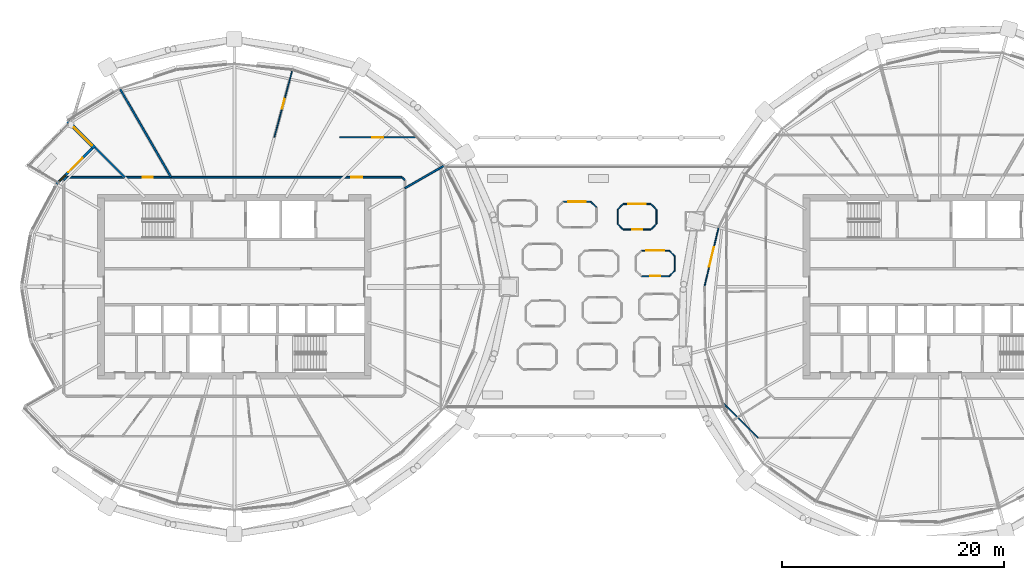
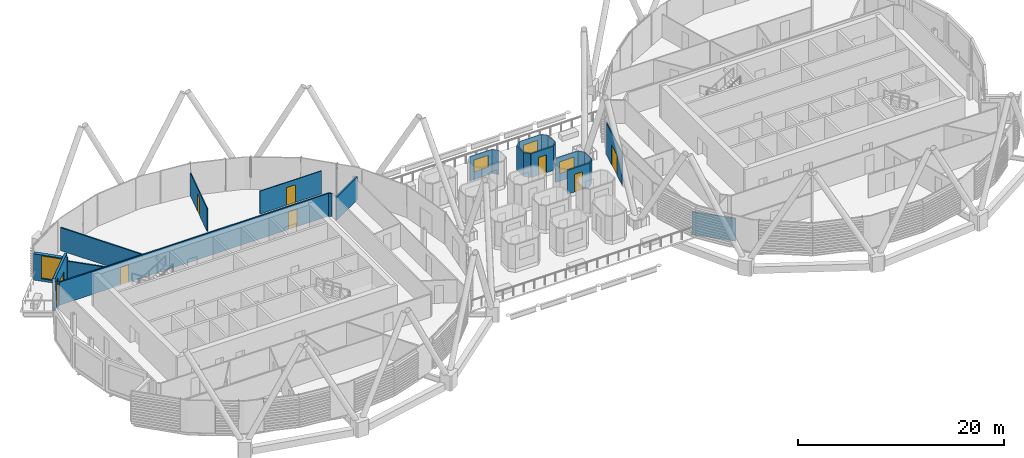
# One storey, part 26 of 38: 27 walls, 8 doors, 5 windows, 13 openings.
"""IFC4 building model written with IfcOpenShell, lengths in metres."""

from ifc_helpers import new_model, si_unit, direction, frame, frame_2d, origin, place, context, subcontext, project, spatial, rectangle, extrude, material, layer, layer_set, type_object, element, fill, save


model = new_model("IFC4")

# Units and contexts
model_context = context("Model", 3, precision=1e-05, world=origin(), true_north=direction((0.0, 1.0)))
body_context = subcontext(model_context, "Body", "Model", "MODEL_VIEW")
ifc_project = project(units=[si_unit("LENGTHUNIT", "METRE"), si_unit("AREAUNIT", "SQUARE_METRE"), si_unit("VOLUMEUNIT", "CUBIC_METRE"), si_unit("PLANEANGLEUNIT", "RADIAN"), si_unit("MASSUNIT", "GRAM", prefix="KILO")], contexts=[model_context])

# Site, building, storey
site_placement = place(None, origin())
site = spatial("IfcSite", under=ifc_project, at=site_placement, CompositionType="ELEMENT")
building_placement = place(site_placement, origin())
building = spatial("IfcBuilding", under=site, at=building_placement, Name="Rimbun Link Towers", CompositionType="ELEMENT")
storey_placement = place(building_placement, frame((0.0, 0.0, 158.89990234375)))
storey = spatial("IfcBuildingStorey", under=building, at=storey_placement, Name="L38", CompositionType="ELEMENT", Elevation=158.89990234375)

# Wall, opening, door
ifc_material_1 = material(Name="Terracotta-faced insulated sandwich panel", Category="masonry")
ifc_layer_1 = layer(ifc_material_1, 0.10009765625)
ifc_layer_set_1 = layer_set([ifc_layer_1], Name="CAPSULE entrance panel 100")
wall_type_1 = type_object("IfcWallType", Name="CAPSULE entrance panel 100", PredefinedType="STANDARD", material=ifc_layer_set_1)
wall_1_placement = place(storey_placement, frame((4.89990234375, 0.949951171875, 0.41015625), z_axis=(0.0, 0.0, 1.0), x_axis=(1.0, 0.0, 0.0)))
wall_1 = element("IfcWall", 1, at=wall_1_placement, inside=storey, type_object=wall_type_1, Name="CAPSULE C09 shell panel 7", PredefinedType="STANDARD", context=body_context, shape_type="SweptSolid", body=[
    extrude(rectangle(XDim=2.5, YDim=0.10009765625, at=frame_2d((1.25, 0.0))), origin(), (0.0, 0.0, 1.0), 2.849853515625),
])
opening_1_placement = place(wall_1_placement, frame((0.800048828125, 0.0, 0.0)))
opening_1 = element("IfcOpeningElement", 2, at=opening_1_placement, cuts=wall_1, Name="Opening CD38.09", PredefinedType="OPENING", context=body_context, shape_type="SweptSolid", body=[
    extrude(rectangle(XDim=0.89990234375, YDim=2.10009765625, at=frame_2d((0.449951171875, 1.050048828125))), frame((0.0, 0.06005859375, 0.0), z_axis=(0.0, -1.0, 0.0), x_axis=(1.0, 0.0, 0.0)), (0.0, 0.0, 1.0), 0.1201171875),
])
ifc_material_2 = material(Name="Aluminium framed insulated door leaf", Category="aluminium")
door_type_1 = type_object("IfcDoorType", Name="CAPSULE door single leaf 900X2100", OperationType="SINGLE_SWING_LEFT", PredefinedType="DOOR", material=ifc_material_2)
door_1_placement = place(opening_1_placement, origin())
door_1 = element("IfcDoor", 3, at=door_1_placement, inside=storey, type_object=door_type_1, Name="CAPSULE C09 door", OperationType="SINGLE_SWING_LEFT", OverallHeight=2.10009765625, OverallWidth=0.89990234375, PredefinedType="DOOR", context=body_context, shape_type="SweptSolid", body=[
    extrude(rectangle(XDim=0.89990234375, YDim=2.10009765625, at=frame_2d((0.449951171875, 1.050048828125))), frame((0.0, 0.02490234375, 0.0), z_axis=(0.0, -1.0, 0.0), x_axis=(1.0, 0.0, 0.0)), (0.0, 0.0, 1.0), 0.050048828125),
])
fill(opening_1, door_1)

wall_2_placement = place(storey_placement, frame((3.25, 5.14990234375, 0.41015625), z_axis=(0.0, 0.0, 1.0), x_axis=(1.0, 0.0, 0.0)))
wall_2 = element("IfcWall", 4, at=wall_2_placement, inside=storey, type_object=wall_type_1, Name="CAPSULE C12 shell panel 7", PredefinedType="STANDARD", context=body_context, shape_type="SweptSolid", body=[
    extrude(rectangle(XDim=2.5, YDim=0.10009765625, at=frame_2d((1.25, 0.0))), origin(), (0.0, 0.0, 1.0), 2.849853515625),
])
opening_2_placement = place(wall_2_placement, frame((0.800048828125, 0.0, 0.0)))
opening_2 = element("IfcOpeningElement", 5, at=opening_2_placement, cuts=wall_2, Name="Opening CD38.12", PredefinedType="OPENING", context=body_context, shape_type="SweptSolid", body=[
    extrude(rectangle(XDim=0.89990234375, YDim=2.10009765625, at=frame_2d((0.449951171875, 1.050048828125))), frame((0.0, 0.06005859375, 0.0), z_axis=(0.0, -1.0, 0.0), x_axis=(1.0, 0.0, 0.0)), (0.0, 0.0, 1.0), 0.1201171875),
])
door_2_placement = place(opening_2_placement, origin())
door_2 = element("IfcDoor", 6, at=door_2_placement, inside=storey, type_object=door_type_1, Name="CAPSULE C12 door", OperationType="SINGLE_SWING_RIGHT", OverallHeight=2.10009765625, OverallWidth=0.89990234375, PredefinedType="DOOR", context=body_context, shape_type="SweptSolid", body=[
    extrude(rectangle(XDim=0.89990234375, YDim=2.10009765625, at=frame_2d((0.449951171875, 1.050048828125))), frame((0.0, 0.02490234375, 0.0), z_axis=(0.0, -1.0, 0.0), x_axis=(1.0, 0.0, 0.0)), (0.0, 0.0, 1.0), 0.050048828125),
])
fill(opening_2, door_2)

# Walls
ifc_material_3 = material(Name="Terracotta-faced insulated sandwich panel", Category="masonry")
ifc_layer_2 = layer(ifc_material_3, 0.10009765625)
ifc_layer_set_2 = layer_set([ifc_layer_2], Name="CAPSULE shell panel 100")
wall_type_2 = type_object("IfcWallType", Name="CAPSULE shell panel 100", PredefinedType="STANDARD", material=ifc_layer_set_2)
wall_3_placement = place(storey_placement, frame((7.89990234375, 1.449951171875, 0.41015625), z_axis=(0.0, 0.0, 1.0), x_axis=(0.0, 1.0, 0.0)))
element("IfcWall", 7, at=wall_3_placement, inside=storey, type_object=wall_type_2, Name="CAPSULE C09 shell panel 1", PredefinedType="STANDARD", context=body_context, shape_type="SweptSolid", body=[
    extrude(rectangle(XDim=1.300048828125, YDim=0.10009765625, at=frame_2d((0.64990234375, 0.0))), origin(), (0.0, 0.0, 1.0), 2.849853515625),
])
wall_4_placement = place(storey_placement, frame((7.89990234375, 2.75, 0.41015625), z_axis=(0.0, 0.0, 1.0), x_axis=(-0.707106781187, 0.707106781187, 0.0)))
element("IfcWall", 8, at=wall_4_placement, inside=storey, type_object=wall_type_2, Name="CAPSULE C09 shell panel 2", PredefinedType="STANDARD", context=body_context, shape_type="SweptSolid", body=[
    extrude(rectangle(XDim=0.70703125, YDim=0.10009765625, at=frame_2d((0.353515625, 0.0))), origin(), (0.0, 0.0, 1.0), 2.849853515625),
])

# Wall, opening, window
wall_5_placement = place(storey_placement, frame((7.39990234375, 3.25, 0.41015625), z_axis=(0.0, 0.0, 1.0), x_axis=(-1.0, 0.0, 0.0)))
wall_5 = element("IfcWall", 9, at=wall_5_placement, inside=storey, type_object=wall_type_2, Name="CAPSULE C09 shell panel 3", PredefinedType="STANDARD", context=body_context, shape_type="SweptSolid", body=[
    extrude(rectangle(XDim=2.5, YDim=0.10009765625, at=frame_2d((1.25, 0.0))), origin(), (0.0, 0.0, 1.0), 2.849853515625),
])
opening_3_placement = place(wall_5_placement, frame((0.449951171875, 0.0, 0.89990234375)))
opening_3 = element("IfcOpeningElement", 10, at=opening_3_placement, cuts=wall_5, Name="Opening CN38.09", PredefinedType="OPENING", context=body_context, shape_type="SweptSolid", body=[
    extrude(rectangle(XDim=1.60009765625, YDim=1.39990234375, at=frame_2d((0.800048828125, 0.699951171875))), frame((0.0, 0.06005859375, 0.0), z_axis=(0.0, -1.0, 0.0), x_axis=(1.0, 0.0, 0.0)), (0.0, 0.0, 1.0), 0.1201171875),
])
ifc_material_4 = material(Name="Aluminium framed window, low-iron glass", Category="aluminium")
window_type_1 = type_object("IfcWindowType", Name="CAPSULE window 1600X1400", PartitioningType="SINGLE_PANEL", PredefinedType="WINDOW", material=ifc_material_4)
window_1_placement = place(opening_3_placement, origin())
window_1 = element("IfcWindow", 11, at=window_1_placement, inside=storey, type_object=window_type_1, Name="CAPSULE C09 window", OverallHeight=1.39990234375, OverallWidth=1.60009765625, PartitioningType="SINGLE_PANEL", PredefinedType="WINDOW", context=body_context, shape_type="SweptSolid", body=[
    extrude(rectangle(XDim=1.60009765625, YDim=1.39990234375, at=frame_2d((0.800048828125, 0.699951171875))), frame((0.0, 0.030029296875, 0.0), z_axis=(0.0, -1.0, 0.0), x_axis=(1.0, 0.0, 0.0)), (0.0, 0.0, 1.0), 0.06005859375),
])
fill(opening_3, window_1)

# Walls
for number, where, z_axis, x_axis, name in (
    (12, (7.39990234375, 0.949951171875, 0.41015625), (0.0, 0.0, 1.0), (0.707106781187, 0.707106781187, 0.0), "CAPSULE C09 shell panel 8"),
    (13, (0.85009765625, 7.14990234375, 0.41015625), (0.0, 0.0, 1.0), (-0.707106781187, 0.707106781187, 0.0), "CAPSULE C11 shell panel 2"),
):
    element("IfcWall", number, at=place(storey_placement, frame(where, z_axis=z_axis, x_axis=x_axis)), inside=storey, type_object=wall_type_2, Name=name, PredefinedType="STANDARD", context=body_context, shape_type="SweptSolid", body=[
        extrude(rectangle(XDim=0.70703125, YDim=0.10009765625, at=frame_2d((0.353515625, 0.0))), origin(), (0.0, 0.0, 1.0), 2.849853515625),
    ])

# Wall, opening, window
wall_6_placement = place(storey_placement, frame((0.35009765625, 7.64990234375, 0.41015625), z_axis=(0.0, 0.0, 1.0), x_axis=(-1.0, 0.0, 0.0)))
wall_6 = element("IfcWall", 14, at=wall_6_placement, inside=storey, type_object=wall_type_2, Name="CAPSULE C11 shell panel 3", PredefinedType="STANDARD", context=body_context, shape_type="SweptSolid", body=[
    extrude(rectangle(XDim=2.5, YDim=0.10009765625, at=frame_2d((1.25, 0.0))), origin(), (0.0, 0.0, 1.0), 2.849853515625),
])
opening_4_placement = place(wall_6_placement, frame((0.449951171875, 0.0, 0.89990234375)))
opening_4 = element("IfcOpeningElement", 15, at=opening_4_placement, cuts=wall_6, Name="Opening CN38.11", PredefinedType="OPENING", context=body_context, shape_type="SweptSolid", body=[
    extrude(rectangle(XDim=1.60009765625, YDim=1.39990234375, at=frame_2d((0.800048828125, 0.699951171875))), frame((0.0, 0.06005859375, 0.0), z_axis=(0.0, -1.0, 0.0), x_axis=(1.0, 0.0, 0.0)), (0.0, 0.0, 1.0), 0.1201171875),
])
window_2_placement = place(opening_4_placement, origin())
window_2 = element("IfcWindow", 16, at=window_2_placement, inside=storey, type_object=window_type_1, Name="CAPSULE C11 window", OverallHeight=1.39990234375, OverallWidth=1.60009765625, PartitioningType="SINGLE_PANEL", PredefinedType="WINDOW", context=body_context, shape_type="SweptSolid", body=[
    extrude(rectangle(XDim=1.60009765625, YDim=1.39990234375, at=frame_2d((0.800048828125, 0.699951171875))), frame((0.0, 0.030029296875, 0.0), z_axis=(0.0, -1.0, 0.0), x_axis=(1.0, 0.0, 0.0)), (0.0, 0.0, 1.0), 0.06005859375),
])
fill(opening_4, window_2)

# Walls
wall_7_placement = place(storey_placement, frame((6.25, 5.64990234375, 0.41015625), z_axis=(0.0, 0.0, 1.0), x_axis=(0.0, 1.0, 0.0)))
element("IfcWall", 17, at=wall_7_placement, inside=storey, type_object=wall_type_2, Name="CAPSULE C12 shell panel 1", PredefinedType="STANDARD", context=body_context, shape_type="SweptSolid", body=[
    extrude(rectangle(XDim=1.300048828125, YDim=0.10009765625, at=frame_2d((0.64990234375, 0.0))), origin(), (0.0, 0.0, 1.0), 2.849853515625),
])
wall_8_placement = place(storey_placement, frame((6.25, 6.949951171875, 0.41015625), z_axis=(0.0, 0.0, 1.0), x_axis=(-0.707106781187, 0.707106781187, 0.0)))
element("IfcWall", 18, at=wall_8_placement, inside=storey, type_object=wall_type_2, Name="CAPSULE C12 shell panel 2", PredefinedType="STANDARD", context=body_context, shape_type="SweptSolid", body=[
    extrude(rectangle(XDim=0.70703125, YDim=0.10009765625, at=frame_2d((0.353515625, 0.0))), origin(), (0.0, 0.0, 1.0), 2.849853515625),
])

# Wall, opening, window
wall_9_placement = place(storey_placement, frame((5.75, 7.449951171875, 0.41015625), z_axis=(0.0, 0.0, 1.0), x_axis=(-1.0, 0.0, 0.0)))
wall_9 = element("IfcWall", 19, at=wall_9_placement, inside=storey, type_object=wall_type_2, Name="CAPSULE C12 shell panel 3", PredefinedType="STANDARD", context=body_context, shape_type="SweptSolid", body=[
    extrude(rectangle(XDim=2.5, YDim=0.10009765625, at=frame_2d((1.25, 0.0))), origin(), (0.0, 0.0, 1.0), 2.849853515625),
])
opening_5_placement = place(wall_9_placement, frame((0.449951171875, 0.0, 0.89990234375)))
opening_5 = element("IfcOpeningElement", 20, at=opening_5_placement, cuts=wall_9, Name="Opening CN38.12", PredefinedType="OPENING", context=body_context, shape_type="SweptSolid", body=[
    extrude(rectangle(XDim=1.60009765625, YDim=1.39990234375, at=frame_2d((0.800048828125, 0.699951171875))), frame((0.0, 0.06005859375, 0.0), z_axis=(0.0, -1.0, 0.0), x_axis=(1.0, 0.0, 0.0)), (0.0, 0.0, 1.0), 0.1201171875),
])
window_3_placement = place(opening_5_placement, origin())
window_3 = element("IfcWindow", 21, at=window_3_placement, inside=storey, type_object=window_type_1, Name="CAPSULE C12 window", OverallHeight=1.39990234375, OverallWidth=1.60009765625, PartitioningType="SINGLE_PANEL", PredefinedType="WINDOW", context=body_context, shape_type="SweptSolid", body=[
    extrude(rectangle(XDim=1.60009765625, YDim=1.39990234375, at=frame_2d((0.800048828125, 0.699951171875))), frame((0.0, 0.030029296875, 0.0), z_axis=(0.0, -1.0, 0.0), x_axis=(1.0, 0.0, 0.0)), (0.0, 0.0, 1.0), 0.06005859375),
])
fill(opening_5, window_3)

# Walls
wall_10_placement = place(storey_placement, frame((3.25, 7.449951171875, 0.41015625), z_axis=(0.0, 0.0, 1.0), x_axis=(-0.707106781187, -0.707106781187, 0.0)))
element("IfcWall", 22, at=wall_10_placement, inside=storey, type_object=wall_type_2, Name="CAPSULE C12 shell panel 4", PredefinedType="STANDARD", context=body_context, shape_type="SweptSolid", body=[
    extrude(rectangle(XDim=0.70703125, YDim=0.10009765625, at=frame_2d((0.353515625, 0.0))), origin(), (0.0, 0.0, 1.0), 2.849853515625),
])
wall_11_placement = place(storey_placement, frame((2.75, 6.949951171875, 0.41015625), z_axis=(0.0, 0.0, 1.0), x_axis=(0.0, -1.0, 0.0)))
element("IfcWall", 23, at=wall_11_placement, inside=storey, type_object=wall_type_2, Name="CAPSULE C12 shell panel 5", PredefinedType="STANDARD", context=body_context, shape_type="SweptSolid", body=[
    extrude(rectangle(XDim=1.300048828125, YDim=0.10009765625, at=frame_2d((0.64990234375, 0.0))), origin(), (0.0, 0.0, 1.0), 2.849853515625),
])
for number, where, z_axis, x_axis, name in (
    (24, (2.75, 5.64990234375, 0.41015625), (0.0, 0.0, 1.0), (0.707106781187, -0.707106781187, 0.0), "CAPSULE C12 shell panel 6"),
    (25, (5.75, 5.14990234375, 0.41015625), (0.0, 0.0, 1.0), (0.707106781187, 0.707106781187, 0.0), "CAPSULE C12 shell panel 8"),
):
    element("IfcWall", number, at=place(storey_placement, frame(where, z_axis=z_axis, x_axis=x_axis)), inside=storey, type_object=wall_type_2, Name=name, PredefinedType="STANDARD", context=body_context, shape_type="SweptSolid", body=[
        extrude(rectangle(XDim=0.70703125, YDim=0.10009765625, at=frame_2d((0.353515625, 0.0))), origin(), (0.0, 0.0, 1.0), 2.849853515625),
    ])

# Wall, openings, door, window
ifc_material_5 = material(Name="Dark enamelled glass spandrel on insulated aluminium backpan", Category="aluminium")
ifc_layer_3 = layer(ifc_material_5, 0.25)
ifc_layer_set_3 = layer_set([ifc_layer_3], Name="CS dark enamelled spandrel wall 250")
wall_type_3 = type_object("IfcWallType", Name="CS dark enamelled spandrel wall 250", PredefinedType="STANDARD", material=ifc_layer_set_3)
wall_12_placement = place(storey_placement, frame((-47.7470703125, 9.252685546875, 0.0), z_axis=(0.0, 0.0, 1.0), x_axis=(0.706701477336, 0.707511852855, 0.0)))
wall_12 = element("IfcWall", 26, at=wall_12_placement, inside=storey, type_object=wall_type_3, Name="Crease spandrel wall", PredefinedType="STANDARD", context=body_context, shape_type="SweptSolid", body=[
    extrude(rectangle(XDim=4.51904296875, YDim=0.25, at=frame_2d((2.259521484375, 0.0))), origin(), (0.0, 0.0, 1.0), 3.800048828125),
])
opening_6_placement = place(wall_12_placement, frame((0.371826171875, 0.0, 0.300048828125)))
opening_6 = element("IfcOpeningElement", 27, at=opening_6_placement, cuts=wall_12, Name="Opening WR08H295", PredefinedType="OPENING", context=body_context, shape_type="SweptSolid", body=[
    extrude(rectangle(XDim=0.75, YDim=2.949951171875, at=frame_2d((0.375, 1.47509765625))), frame((0.0, 0.135009765625, 0.0), z_axis=(0.0, -1.0, 0.0), x_axis=(1.0, 0.0, 0.0)), (0.0, 0.0, 1.0), 0.27001953125),
])
opening_7_placement = place(wall_12_placement, frame((1.49365234375, 0.0, 0.0)))
opening_7 = element("IfcOpeningElement", 28, at=opening_7_placement, cuts=wall_12, Name="Opening ED69", PredefinedType="OPENING", context=body_context, shape_type="SweptSolid", body=[
    extrude(rectangle(XDim=1.800048828125, YDim=2.39990234375, at=frame_2d((0.89990234375, 1.199951171875))), frame((0.0, 0.135009765625, 0.0), z_axis=(0.0, -1.0, 0.0), x_axis=(1.0, 0.0, 0.0)), (0.0, 0.0, 1.0), 0.27001953125),
])
ifc_material_6 = material(Name="Aluminium framed glazed door, low-iron glass", Category="aluminium")
door_type_2 = type_object("IfcDoorType", Name="ED terrace door double leaf 1800X2400", OperationType="DOUBLE_DOOR_SINGLE_SWING", PredefinedType="DOOR", material=ifc_material_6)
door_3_placement = place(opening_7_placement, origin())
door_3 = element("IfcDoor", 29, at=door_3_placement, inside=storey, type_object=door_type_2, Name="Terrace door", OperationType="SINGLE_SWING_LEFT", OverallHeight=2.39990234375, OverallWidth=1.800048828125, PredefinedType="DOOR", context=body_context, shape_type="SweptSolid", body=[
    extrude(rectangle(XDim=1.800048828125, YDim=2.39990234375, at=frame_2d((0.89990234375, 1.199951171875))), frame((0.0, 0.02490234375, 0.0), z_axis=(0.0, -1.0, 0.0), x_axis=(1.0, 0.0, 0.0)), (0.0, 0.0, 1.0), 0.050048828125),
])
fill(opening_7, door_3)
ifc_material_7 = material(Name="Aluminium framed fixed window, dark tinted low-e glass", Category="aluminium")
window_type_2 = type_object("IfcWindowType", Name="WR ribbon window 750X2950", PartitioningType="SINGLE_PANEL", PredefinedType="WINDOW", material=ifc_material_7)
window_4_placement = place(opening_6_placement, origin())
window_4 = element("IfcWindow", 30, at=window_4_placement, inside=storey, type_object=window_type_2, Name="Crease ribbon window", OverallHeight=2.949951171875, OverallWidth=0.75, PartitioningType="SINGLE_PANEL", PredefinedType="WINDOW", context=body_context, shape_type="SweptSolid", body=[
    extrude(rectangle(XDim=0.75, YDim=2.949951171875, at=frame_2d((0.375, 1.47509765625))), frame((0.0, 0.030029296875, 0.0), z_axis=(0.0, -1.0, 0.0), x_axis=(1.0, 0.0, 0.0)), (0.0, 0.0, 1.0), 0.06005859375),
])
fill(opening_6, window_4)

# Wall, opening, window
ifc_material_8 = material(Name="Dark enamelled glass spandrel on insulated aluminium backpan", Category="aluminium")
ifc_layer_4 = layer(ifc_material_8, 0.3701171875)
ifc_layer_set_4 = layer_set([ifc_layer_4], Name="CS dark enamelled spandrel wall 370")
wall_type_4 = type_object("IfcWallType", Name="CS dark enamelled spandrel wall 370", PredefinedType="STANDARD", material=ifc_layer_set_4)
wall_13_placement = place(storey_placement, frame((-44.33447265625, 12.492431640625, 0.0), z_axis=(0.0, 0.0, 1.0), x_axis=(-0.707106781187, 0.707106781187, 0.0)))
wall_13 = element("IfcWall", 31, at=wall_13_placement, inside=storey, type_object=wall_type_4, Name="Crease spandrel wall", PredefinedType="STANDARD", context=body_context, shape_type="SweptSolid", body=[
    extrude(rectangle(XDim=3.380126953125, YDim=0.3701171875, at=frame_2d((1.68994140625, 0.0))), origin(), (0.0, 0.0, 1.0), 3.10693359375),
])
opening_8_placement = place(wall_13_placement, frame((0.339599609375, 0.0, 0.300048828125)))
opening_8 = element("IfcOpeningElement", 32, at=opening_8_placement, cuts=wall_13, Name="Opening WR22H270", PredefinedType="OPENING", context=body_context, shape_type="SweptSolid", body=[
    extrude(rectangle(XDim=2.25, YDim=2.699951171875, at=frame_2d((1.125, 1.35009765625))), frame((0.0, 0.195068359375, 0.0), z_axis=(0.0, -1.0, 0.0), x_axis=(1.0, 0.0, 0.0)), (0.0, 0.0, 1.0), 0.39013671875),
])
ifc_material_9 = material(Name="Aluminium framed fixed window, dark tinted low-e glass", Category="aluminium")
window_type_3 = type_object("IfcWindowType", Name="WR ribbon window 2250X2700", PartitioningType="SINGLE_PANEL", PredefinedType="WINDOW", material=ifc_material_9)
window_5_placement = place(opening_8_placement, origin())
window_5 = element("IfcWindow", 33, at=window_5_placement, inside=storey, type_object=window_type_3, Name="Crease ribbon window", OverallHeight=2.699951171875, OverallWidth=2.25, PartitioningType="SINGLE_PANEL", PredefinedType="WINDOW", context=body_context, shape_type="SweptSolid", body=[
    extrude(rectangle(XDim=2.25, YDim=2.699951171875, at=frame_2d((1.125, 1.35009765625))), frame((0.0, 0.030029296875, 0.0), z_axis=(0.0, -1.0, 0.0), x_axis=(1.0, 0.0, 0.0)), (0.0, 0.0, 1.0), 0.06005859375),
])
fill(opening_8, window_5)

# Wall, openings, doors
ifc_material_10 = material(Name="Plasterboard on steel stud, mineral wool", Category="steel")
ifc_layer_5 = layer(ifc_material_10, 0.14990234375)
ifc_layer_set_5 = layer_set([ifc_layer_5], Name="Corridor wall EI 30 150 mm")
wall_type_5 = type_object("IfcWallType", Name="Corridor wall EI 30 150 mm", PredefinedType="PARTITIONING", material=ifc_layer_set_5)
wall_14_placement = place(storey_placement, frame((-46.84375, 9.85498046875, 0.0), z_axis=(0.0, 0.0, 1.0), x_axis=(1.0, 0.0, 0.0)))
wall_14 = element("IfcWall", 34, at=wall_14_placement, inside=storey, type_object=wall_type_5, Name="Corridor wall EI 30 150 mm", PredefinedType="PARTITIONING", context=body_context, shape_type="SweptSolid", body=[
    extrude(rectangle(XDim=30.1875, YDim=0.14990234375, at=frame_2d((15.09375, 0.0))), origin(), (0.0, 0.0, 1.0), 2.712158203125),
])
opening_9_placement = place(wall_14_placement, frame((25.62939453125, 0.0, 0.0)))
opening_9 = element("IfcOpeningElement", 35, at=opening_9_placement, cuts=wall_14, Name="Opening D01", PredefinedType="OPENING", context=body_context, shape_type="SweptSolid", body=[
    extrude(rectangle(XDim=1.0, YDim=2.10009765625, at=frame_2d((0.5, 1.050048828125))), frame((0.0, 0.0849609375, 0.0), z_axis=(0.0, -1.0, 0.0), x_axis=(1.0, 0.0, 0.0)), (0.0, 0.0, 1.0), 0.169921875),
])
opening_10_placement = place(wall_14_placement, frame((6.871337890625, 0.0, 0.0)))
opening_10 = element("IfcOpeningElement", 36, at=opening_10_placement, cuts=wall_14, Name="Opening D02", PredefinedType="OPENING", context=body_context, shape_type="SweptSolid", body=[
    extrude(rectangle(XDim=0.89990234375, YDim=2.10009765625, at=frame_2d((0.449951171875, 1.050048828125))), frame((0.0, 0.0849609375, 0.0), z_axis=(0.0, -1.0, 0.0), x_axis=(1.0, 0.0, 0.0)), (0.0, 0.0, 1.0), 0.169921875),
])
ifc_material_11 = material(Name="Fire-resisting timber door leaf", Category="wood")
door_type_3 = type_object("IfcDoorType", Name="Fire door FD30S 1000", OperationType="NOTDEFINED", PredefinedType="DOOR", material=ifc_material_11)
door_4_placement = place(opening_9_placement, origin())
door_4 = element("IfcDoor", 37, at=door_4_placement, inside=storey, type_object=door_type_3, Name="Fire door FD30S 1000 to Tenant lobby", OperationType="SINGLE_SWING_LEFT", OverallHeight=2.10009765625, OverallWidth=1.0, PredefinedType="DOOR", context=body_context, shape_type="SweptSolid", body=[
    extrude(rectangle(XDim=1.0, YDim=2.10009765625, at=frame_2d((0.5, 1.050048828125))), frame((0.0, 0.02490234375, 0.0), z_axis=(0.0, -1.0, 0.0), x_axis=(1.0, 0.0, 0.0)), (0.0, 0.0, 1.0), 0.050048828125),
])
fill(opening_9, door_4)
ifc_material_12 = material(Name="Fire-resisting timber door leaf", Category="wood")
door_type_4 = type_object("IfcDoorType", Name="Fire door FD30S 900", OperationType="NOTDEFINED", PredefinedType="DOOR", material=ifc_material_12)
door_5_placement = place(opening_10_placement, origin())
door_5 = element("IfcDoor", 38, at=door_5_placement, inside=storey, type_object=door_type_4, Name="Fire door FD30S 900 to Print room", OperationType="SINGLE_SWING_RIGHT", OverallHeight=2.10009765625, OverallWidth=0.89990234375, PredefinedType="DOOR", context=body_context, shape_type="SweptSolid", body=[
    extrude(rectangle(XDim=0.89990234375, YDim=2.10009765625, at=frame_2d((0.449951171875, 1.050048828125))), frame((0.0, 0.02490234375, 0.0), z_axis=(0.0, -1.0, 0.0), x_axis=(1.0, 0.0, 0.0)), (0.0, 0.0, 1.0), 0.050048828125),
])
fill(opening_10, door_5)

# Walls
for number, where, z_axis, x_axis, name in (
    (39, (-16.39501953125, 9.59375, 0.0), (0.0, 0.0, 1.0), (-0.707106781187, 0.707106781187, 0.0), "Corridor wall EI 30 150 mm"),
    (40, (-46.84375, 9.85498046875, 0.0), (0.0, 0.0, 1.0), (-0.707106781187, -0.707106781187, 0.0), "Corridor wall EI 30 150 mm"),
):
    element("IfcWall", number, at=place(storey_placement, frame(where, z_axis=z_axis, x_axis=x_axis)), inside=storey, type_object=wall_type_5, Name=name, PredefinedType="PARTITIONING", context=body_context, shape_type="SweptSolid", body=[
        extrude(rectangle(XDim=0.369384765625, YDim=0.14990234375, at=frame_2d((0.1845703125, 0.0))), origin(), (0.0, 0.0, 1.0), 2.712158203125),
    ])

# Wall, opening, door
ifc_material_13 = material(Name="Aluminium framed insulated infill panel", Category="aluminium")
ifc_layer_6 = layer(ifc_material_13, 0.10009765625)
ifc_layer_set_6 = layer_set([ifc_layer_6], Name="ED framed infill wall 100")
wall_type_6 = type_object("IfcWallType", Name="ED framed infill wall 100", PredefinedType="STANDARD", material=ifc_layer_set_6)
wall_15_placement = place(storey_placement, frame((10.57373046875, 0.031005859375, 0.0), z_axis=(0.0, 0.0, 1.0), x_axis=(0.232612958151, 0.972569386574, 0.0)))
wall_15 = element("IfcWall", 41, at=wall_15_placement, inside=storey, type_object=wall_type_6, Name="Framed door bay wall", PredefinedType="STANDARD", context=body_context, shape_type="SweptSolid", body=[
    extrude(rectangle(XDim=5.431396484375, YDim=0.10009765625, at=frame_2d((2.7158203125, 0.0))), origin(), (0.0, 0.0, 1.0), 3.800048828125),
])
opening_11_placement = place(wall_15_placement, frame((1.815673828125, 0.0, 0.0)))
opening_11 = element("IfcOpeningElement", 42, at=opening_11_placement, cuts=wall_15, Name="Opening ED70", PredefinedType="OPENING", context=body_context, shape_type="SweptSolid", body=[
    extrude(rectangle(XDim=1.800048828125, YDim=2.39990234375, at=frame_2d((0.89990234375, 1.199951171875))), frame((0.0, 0.06005859375, 0.0), z_axis=(0.0, -1.0, 0.0), x_axis=(1.0, 0.0, 0.0)), (0.0, 0.0, 1.0), 0.1201171875),
])
door_6_placement = place(opening_11_placement, origin())
door_6 = element("IfcDoor", 43, at=door_6_placement, inside=storey, type_object=door_type_2, Name="Terrace door", OperationType="SINGLE_SWING_LEFT", OverallHeight=2.39990234375, OverallWidth=1.800048828125, PredefinedType="DOOR", context=body_context, shape_type="SweptSolid", body=[
    extrude(rectangle(XDim=1.800048828125, YDim=2.39990234375, at=frame_2d((0.89990234375, 1.199951171875))), frame((0.0, 0.02490234375, 0.0), z_axis=(0.0, -1.0, 0.0), x_axis=(1.0, 0.0, 0.0)), (0.0, 0.0, 1.0), 0.050048828125),
])
fill(opening_11, door_6)

ifc_material_14 = material(Name="Plasterboard on steel stud", Category="steel")
ifc_layer_7 = layer(ifc_material_14, 0.10009765625)
ifc_layer_set_7 = layer_set([ifc_layer_7], Name="Plasterboard partition 100 mm")
wall_type_7 = type_object("IfcWallType", Name="Plasterboard partition 100 mm", PredefinedType="PARTITIONING", material=ifc_layer_set_7)
wall_16_placement = place(storey_placement, frame((-22.26025390625, 13.455078125, 0.0), z_axis=(0.0, 0.0, 1.0), x_axis=(1.0, 0.0, 0.0)))
wall_16 = element("IfcWall", 44, at=wall_16_placement, inside=storey, type_object=wall_type_7, Name="Plasterboard partition 100 mm", PredefinedType="PARTITIONING", context=body_context, shape_type="SweptSolid", body=[
    extrude(rectangle(XDim=6.879150390625, YDim=0.10009765625, at=frame_2d((3.439453125, 0.0))), origin(), (0.0, 0.0, 1.0), 2.712158203125),
])
opening_12_placement = place(wall_16_placement, frame((2.939697265625, 0.0, 0.0)))
opening_12 = element("IfcOpeningElement", 45, at=opening_12_placement, cuts=wall_16, Name="Opening D03", PredefinedType="OPENING", context=body_context, shape_type="SweptSolid", body=[
    extrude(rectangle(XDim=1.0, YDim=2.10009765625, at=frame_2d((0.5, 1.050048828125))), frame((0.0, 0.06005859375, 0.0), z_axis=(0.0, -1.0, 0.0), x_axis=(1.0, 0.0, 0.0)), (0.0, 0.0, 1.0), 0.1201171875),
])
ifc_material_15 = material(Name="Timber door leaf", Category="wood")
door_type_5 = type_object("IfcDoorType", Name="Flush door 1000", OperationType="NOTDEFINED", PredefinedType="DOOR", material=ifc_material_15)
door_7_placement = place(opening_12_placement, origin())
door_7 = element("IfcDoor", 46, at=door_7_placement, inside=storey, type_object=door_type_5, Name="Flush door 1000 to Open office", OperationType="SINGLE_SWING_RIGHT", OverallHeight=2.10009765625, OverallWidth=1.0, PredefinedType="DOOR", context=body_context, shape_type="SweptSolid", body=[
    extrude(rectangle(XDim=1.0, YDim=2.10009765625, at=frame_2d((0.5, 1.050048828125))), frame((0.0, 0.02490234375, 0.0), z_axis=(0.0, -1.0, 0.0), x_axis=(1.0, 0.0, 0.0)), (0.0, 0.0, 1.0), 0.050048828125),
])
fill(opening_12, door_7)

wall_17_placement = place(storey_placement, frame((-28.144775390625, 13.455078125, 0.0), z_axis=(0.0, 0.0, 1.0), x_axis=(0.25881431183, 0.965927094553, 0.0)))
wall_17 = element("IfcWall", 47, at=wall_17_placement, inside=storey, type_object=wall_type_7, Name="Plasterboard partition 100 mm", PredefinedType="PARTITIONING", context=body_context, shape_type="SweptSolid", body=[
    extrude(rectangle(XDim=6.239990234375, YDim=0.10009765625, at=frame_2d((3.1201171875, 0.0))), origin(), (0.0, 0.0, 1.0), 2.712158203125),
])
opening_13_placement = place(wall_17_placement, frame((2.669921875, 0.0, 0.0)))
opening_13 = element("IfcOpeningElement", 48, at=opening_13_placement, cuts=wall_17, Name="Opening D04", PredefinedType="OPENING", context=body_context, shape_type="SweptSolid", body=[
    extrude(rectangle(XDim=0.89990234375, YDim=2.10009765625, at=frame_2d((0.449951171875, 1.050048828125))), frame((0.0, 0.06005859375, 0.0), z_axis=(0.0, -1.0, 0.0), x_axis=(1.0, 0.0, 0.0)), (0.0, 0.0, 1.0), 0.1201171875),
])
ifc_material_16 = material(Name="Timber door leaf", Category="wood")
door_type_6 = type_object("IfcDoorType", Name="Flush door 900", OperationType="NOTDEFINED", PredefinedType="DOOR", material=ifc_material_16)
door_8_placement = place(opening_13_placement, origin())
door_8 = element("IfcDoor", 49, at=door_8_placement, inside=storey, type_object=door_type_6, Name="Flush door 900 to Project room", OperationType="SINGLE_SWING_LEFT", OverallHeight=2.10009765625, OverallWidth=0.89990234375, PredefinedType="DOOR", context=body_context, shape_type="SweptSolid", body=[
    extrude(rectangle(XDim=0.89990234375, YDim=2.10009765625, at=frame_2d((0.449951171875, 1.050048828125))), frame((0.0, 0.02490234375, 0.0), z_axis=(0.0, -1.0, 0.0), x_axis=(1.0, 0.0, 0.0)), (0.0, 0.0, 1.0), 0.050048828125),
])
fill(opening_13, door_8)

# Walls
wall_18_placement = place(storey_placement, frame((12.269775390625, -10.474853515625, 0.0), z_axis=(0.0, 0.0, 1.0), x_axis=(0.707079117143, -0.707134444148, 0.0)))
element("IfcWall", 50, at=wall_18_placement, inside=storey, type_object=wall_type_7, Name="Plasterboard partition 100 mm", PredefinedType="PARTITIONING", context=body_context, shape_type="SweptSolid", body=[
    extrude(rectangle(XDim=4.41259765625, YDim=0.10009765625, at=frame_2d((2.206298828125, 0.0))), origin(), (0.0, 0.0, 1.0), 2.712158203125),
])
ifc_material_17 = material(Name="Plasterboard on steel stud, mineral wool", Category="steel")
ifc_layer_8 = layer(ifc_material_17, 0.14990234375)
ifc_layer_set_8 = layer_set([ifc_layer_8], Name="Tenancy separation wall EI 60 150 mm")
wall_type_8 = type_object("IfcWallType", Name="Tenancy separation wall EI 60 150 mm", PredefinedType="PARTITIONING", material=ifc_layer_set_8)
wall_19_placement = place(storey_placement, frame((-16.39501953125, 8.865234375, 0.0), z_axis=(0.0, 0.0, 1.0), x_axis=(0.866016868524, 0.500014783214, 0.0)))
element("IfcWall", 51, at=wall_19_placement, inside=storey, type_object=wall_type_8, Name="Tenancy separation wall EI 60 150 mm", PredefinedType="PARTITIONING", context=body_context, shape_type="SweptSolid", body=[
    extrude(rectangle(XDim=4.0244140625, YDim=0.14990234375, at=frame_2d((2.01220703125, 0.0))), origin(), (0.0, 0.0, 1.0), 2.712158203125),
])
wall_20_placement = place(storey_placement, frame((-37.439697265625, 9.85498046875, 0.0), z_axis=(0.0, 0.0, 1.0), x_axis=(-0.500000222056, 0.866025275581, 0.0)))
element("IfcWall", 52, at=wall_20_placement, inside=storey, type_object=wall_type_8, Name="Tenancy separation wall EI 60 150 mm", PredefinedType="PARTITIONING", context=body_context, shape_type="SweptSolid", body=[
    extrude(rectangle(XDim=9.1806640625, YDim=0.14990234375, at=frame_2d((4.59033203125, 0.0))), origin(), (0.0, 0.0, 1.0), 2.712158203125),
])
wall_21_placement = place(storey_placement, frame((-41.60498046875, 9.85498046875, 0.0), z_axis=(0.0, 0.0, 1.0), x_axis=(-0.707106781187, 0.707106781187, 0.0)))
element("IfcWall", 53, at=wall_21_placement, inside=storey, type_object=wall_type_8, Name="Tenancy separation wall EI 60 150 mm", PredefinedType="PARTITIONING", context=body_context, shape_type="SweptSolid", body=[
    extrude(rectangle(XDim=3.795166015625, YDim=0.14990234375, at=frame_2d((1.8974609375, 0.0))), origin(), (0.0, 0.0, 1.0), 2.712158203125),
])

save(model, "model.ifc")
